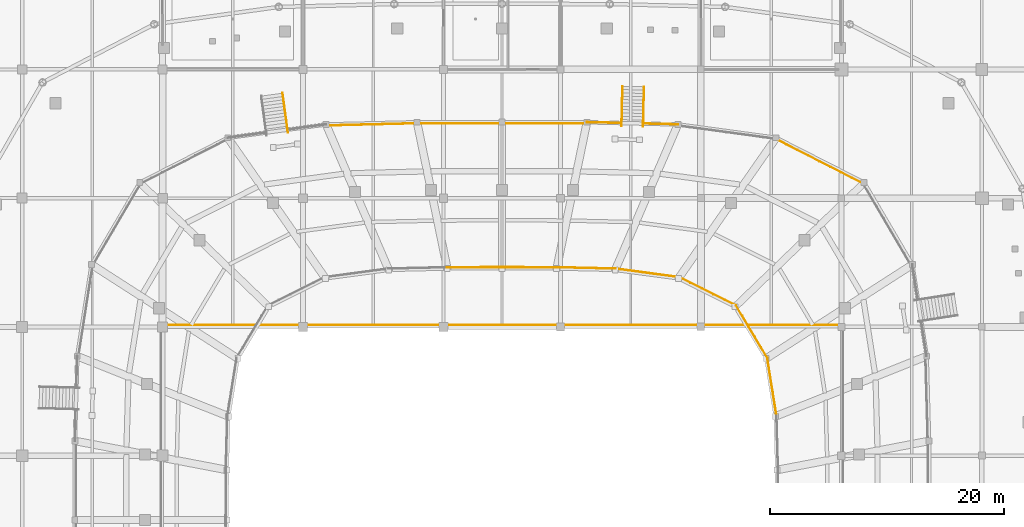
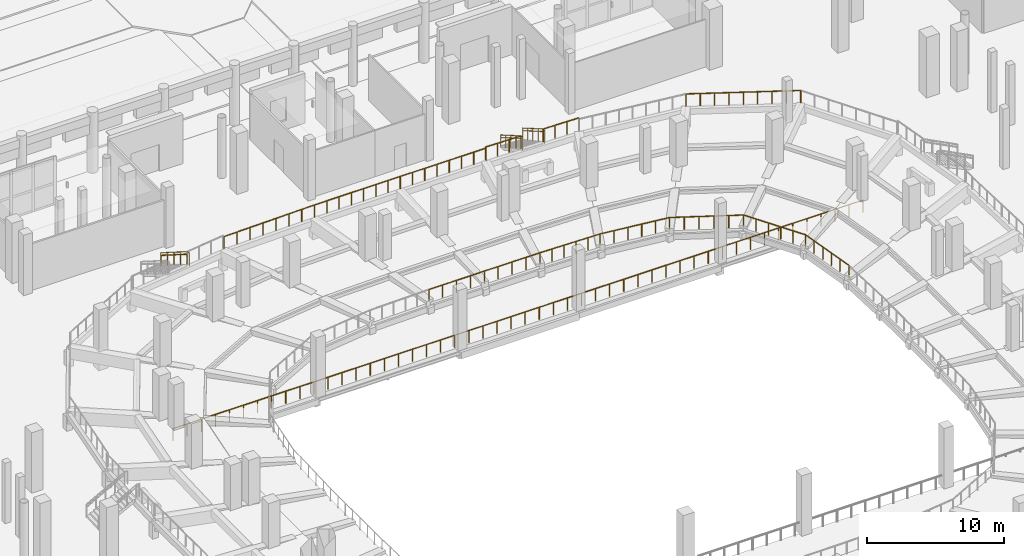
# One storey, part 106 of 120: 20 railings.
"""IFC4 building model written with IfcOpenShell, lengths in metres."""

import ifcopenshell
import ifcopenshell.guid

model = None  # the IFC model being written
_history = None  # IfcOwnerHistory: only IFC2X3 demands one
_inside = {}  # id of a spatial element -> (the spatial element, [elements in it])
_under = {}  # id of a project, library or spatial element -> (it, [spatial elements below it])
_declared = {}  # id of a project -> (the project, [libraries it declares])
_typed = {}  # id of a type object -> (the type object, [elements of that type])
_made_of = {}  # id of a material, layer set ... -> (it, [elements and type objects made of it])


def new_model(schema):
    """Start an empty IFC model of exactly this schema.

    Asked for "IFC4X3", IfcOpenShell would pick the latest addendum, in which some entities
    have other attributes; the version numbers below select the first issue.
    IFC2X3 requires an IfcOwnerHistory on every rooted entity: one is made here for all.
    """
    global model, _history
    if schema == "IFC4X3":
        model = ifcopenshell.file(schema_version=(4, 3, 0, 0))
    else:
        model = ifcopenshell.file(schema=schema)
    _inside.clear()
    _under.clear()
    _declared.clear()
    _typed.clear()
    _made_of.clear()
    _history = None
    if model.schema == "IFC2X3":
        org = make("IfcOrganization", Name="unknown")
        user = make(
            "IfcPersonAndOrganization",
            ThePerson=make("IfcPerson", FamilyName="unknown"),
            TheOrganization=org,
        )
        app = make(
            "IfcApplication",
            ApplicationDeveloper=org,
            Version="unknown",
            ApplicationFullName="unknown",
            ApplicationIdentifier="unknown",
        )
        _history = make(
            "IfcOwnerHistory",
            OwningUser=user,
            OwningApplication=app,
            ChangeAction="ADDED",
            CreationDate=0,
        )
    return model


def make(cls, **values):
    """One entity of the class cls with the attributes given. An attribute that is None is left unset."""
    return model.create_entity(
        cls, **{name: value for name, value in values.items() if value is not None}
    )


def rooted(cls, **values):
    """An entity with a GlobalId (a new one), such as an element, a storey or a relation."""
    return make(cls, GlobalId=ifcopenshell.guid.new(), OwnerHistory=_history, **values)


def si_unit(unit_type, name, prefix=None):
    """IfcSIUnit, for example si_unit("LENGTHUNIT", "METRE", prefix="MILLI")."""
    return make("IfcSIUnit", UnitType=unit_type, Prefix=prefix, Name=name)


def assignment(units):
    """IfcUnitAssignment: the units of a project."""
    return None if units is None else make("IfcUnitAssignment", Units=units)


def point(xyz):
    """IfcCartesianPoint."""
    return None if xyz is None else make("IfcCartesianPoint", Coordinates=xyz)


def direction(xyz):
    """IfcDirection."""
    return None if xyz is None else make("IfcDirection", DirectionRatios=xyz)


def frame(location, z_axis=None, x_axis=None):
    """IfcAxis2Placement3D, a coordinate frame: its origin and axes. An axis left out is left unset."""
    return make(
        "IfcAxis2Placement3D",
        Location=point(location),
        Axis=direction(z_axis),
        RefDirection=direction(x_axis),
    )


def frame_2d(location, x_axis=None):
    """IfcAxis2Placement2D, a coordinate frame in the plane: its origin and x axis."""
    return make(
        "IfcAxis2Placement2D", Location=point(location), RefDirection=direction(x_axis)
    )


def origin():
    """The frame at (0, 0, 0) with its axes left unset."""
    return frame((0.0, 0.0, 0.0))


def origin_2d():
    """The frame at (0, 0) in the plane with its x axis left unset."""
    return frame_2d((0.0, 0.0))


def place(relative_to, where):
    """IfcLocalPlacement: puts the frame where relative to a parent placement (None: the world)."""
    return make(
        "IfcLocalPlacement", PlacementRelTo=relative_to, RelativePlacement=where
    )


def context(
    kind, dimensions, precision=None, world=None, true_north=None, identifier=None
):
    """IfcGeometricRepresentationContext, for example the 3D "Model" context."""
    return make(
        "IfcGeometricRepresentationContext",
        ContextIdentifier=identifier,
        ContextType=kind,
        CoordinateSpaceDimension=dimensions,
        Precision=precision,
        WorldCoordinateSystem=world,
        TrueNorth=true_north,
    )


def subcontext(parent, identifier, kind, view, scale=None):
    """IfcGeometricRepresentationSubContext, for example "Body" below "Model"."""
    return make(
        "IfcGeometricRepresentationSubContext",
        ContextIdentifier=identifier,
        ContextType=kind,
        ParentContext=parent,
        TargetScale=scale,
        TargetView=view,
    )


def project(units=None, contexts=None):
    """IfcProject with its units and contexts."""
    return rooted(
        "IfcProject",
        Name="project",
        RepresentationContexts=contexts,
        UnitsInContext=assignment(units),
    )


def spatial(cls, under=None, at=None, **own):
    """A site, building, storey or space (cls), placed at a placement, below another one or the project."""
    s = rooted(cls, ObjectPlacement=at, **own)
    if under is not None:
        _under.setdefault(under.id(), (under, []))[1].append(s)
    return s


def profile(cls, at=None, kind="AREA", **sizes):
    """A parametric profile (cls). Its sizes go by their IFC names, for example OverallWidth=200.0."""
    return make(cls, ProfileType=kind, Position=at, **sizes)


def circle(**sizes):
    """IfcCircleProfileDef."""
    return profile("IfcCircleProfileDef", **sizes)


def extrude(swept, where, along, depth):
    """IfcExtrudedAreaSolid: the profile swept, set in the frame where, extruded along a direction by depth."""
    return make(
        "IfcExtrudedAreaSolid",
        SweptArea=swept,
        Position=where,
        ExtrudedDirection=direction(along),
        Depth=depth,
    )


def shape(context_of_items, identifier, shape_type, items):
    """IfcShapeRepresentation: the items that make up one representation, for example the "Body"."""
    return make(
        "IfcShapeRepresentation",
        ContextOfItems=context_of_items,
        RepresentationIdentifier=identifier,
        RepresentationType=shape_type,
        Items=items,
    )


def material(Name=None, Category=None):
    """IfcMaterial."""
    return make("IfcMaterial", Name=Name, Category=Category)


def made_of(thing, what):
    """Note that an element or type object is made of a material, layer set ...; save() writes the relation."""
    if what is not None:
        _made_of.setdefault(what.id(), (what, []))[1].append(thing)
    return thing


def type_object(cls, material=None, **own):
    """A type object (cls), such as IfcWallType, which elements share."""
    return made_of(rooted(cls, **own), material)


def element(
    cls,
    number,
    at=None,
    inside=None,
    cuts=None,
    type_object=None,
    material=None,
    context=None,
    identifier="Body",
    shape_type=None,
    held_by="IfcProductDefinitionShape",
    body=None,
    shapes=None,
    **own,
):
    """One element of the class cls, such as IfcWall. Its Tag is "e" and its number.

    at: its placement. inside: the storey or other place that contains it. cuts: it is an
    opening in that element (IfcRelVoidsElement). A single representation is given by context,
    identifier, shape_type and body (its items); several are given by shapes. held_by: the class
    of the entity that holds the representations. save() writes the other relations.
    """
    e = rooted(cls, Tag="e%d" % number, ObjectPlacement=at, **own)
    if body is not None:
        shapes = [shape(context, identifier, shape_type, body)]
    if shapes is not None:
        e.Representation = make(held_by, Representations=shapes)
    if inside is not None:
        _inside.setdefault(inside.id(), (inside, []))[1].append(e)
    if cuts is not None:
        rooted(
            "IfcRelVoidsElement", RelatingBuildingElement=cuts, RelatedOpeningElement=e
        )
    if type_object is not None:
        _typed.setdefault(type_object.id(), (type_object, []))[1].append(e)
    return made_of(e, material)


def aggregate(whole, parts):
    """IfcRelAggregates: a whole, such as a stair, and the parts it consists of."""
    return rooted("IfcRelAggregates", RelatingObject=whole, RelatedObjects=parts)


def save(model, path):
    """Write the relations noted so far, then the file.

    IfcRelAggregates (storeys below a building ...), IfcRelContainedInSpatialStructure (elements
    in a storey), IfcRelDefinesByType, IfcRelAssociatesMaterial and IfcRelDeclares: one each for
    every whole, place, type object, material and project.
    """
    for whole, parts in _under.values():
        aggregate(whole, parts)
    for where, things in _inside.values():
        rooted(
            "IfcRelContainedInSpatialStructure",
            RelatedElements=things,
            RelatingStructure=where,
        )
    for kind, things in _typed.values():
        rooted("IfcRelDefinesByType", RelatedObjects=things, RelatingType=kind)
    for what, things in _made_of.values():
        rooted("IfcRelAssociatesMaterial", RelatedObjects=things, RelatingMaterial=what)
    for by, libraries in _declared.values():
        rooted("IfcRelDeclares", RelatingContext=by, RelatedDefinitions=libraries)
    model.write(path)


model = new_model("IFC4")

# Units and contexts
model_context = context("Model", 3, precision=1e-05, world=origin(), true_north=direction((0.0, 1.0)))
body_context = subcontext(model_context, "Body", "Model", "MODEL_VIEW")
ifc_project = project(units=[si_unit("LENGTHUNIT", "METRE"), si_unit("AREAUNIT", "SQUARE_METRE"), si_unit("VOLUMEUNIT", "CUBIC_METRE"), si_unit("PLANEANGLEUNIT", "RADIAN"), si_unit("MASSUNIT", "GRAM", prefix="KILO")], contexts=[model_context])

# Site, building, storey
site_placement = place(None, origin())
site = spatial("IfcSite", under=ifc_project, at=site_placement, CompositionType="ELEMENT")
building_placement = place(site_placement, origin())
building = spatial("IfcBuilding", under=site, at=building_placement, Name="Luwafu Chhajja Arena", CompositionType="ELEMENT")
storey_placement = place(building_placement, origin())
storey = spatial("IfcBuildingStorey", under=building, at=storey_placement, Name="L00", CompositionType="ELEMENT", Elevation=0.0)

# Railings
ifc_material_1 = material(Name="Stainless steel balustrade", Category="steel")
railing_type_1 = type_object("IfcRailingType", Name="Atrium Void Glazed Balustrade 1150", PredefinedType="BALUSTRADE", material=ifc_material_1)
railing_1_placement = place(storey_placement, frame((109.30078125, 86.563232421875, 0.0)))
element("IfcRailing", 1, at=railing_1_placement, inside=storey, type_object=railing_type_1, Name="L00 Vomitory VM-02 Guard L", PredefinedType="BALUSTRADE", context=body_context, shape_type="SweptSolid", body=[
    extrude(circle(Radius=0.02392578125, at=origin_2d()), frame((0.0, 0.0, 1.1259765625), z_axis=(-0.020742164127, -0.861669643947, 0.507045547587), x_axis=(0.999710393799, -0.024065089461, 0.0)), (0.0, 0.0, 1.0), 3.648681640625),
    extrude(circle(Radius=0.02392578125, at=origin_2d()), frame((-0.07568359375, -3.14404296875, 2.97607421875), z_axis=(-0.024406789793, -0.999702109937, 0.0), x_axis=(0.999702109937, -0.024406789793, 0.0)), (0.0, 0.0, 1.0), 0.25),
    extrude(circle(Radius=0.02099609375, at=origin_2d()), origin(), (0.0, 0.0, 1.0), 1.101806640625),
    extrude(circle(Radius=0.02099609375, at=origin_2d()), frame((-0.01904296875, -0.7861328125, 0.46240234375)), (0.0, 0.0, 1.0), 1.101806640625),
    extrude(circle(Radius=0.02099609375, at=origin_2d()), frame((-0.037841796875, -1.572021484375, 0.925048828125)), (0.0, 0.0, 1.0), 1.101806640625),
    extrude(circle(Radius=0.02099609375, at=origin_2d()), frame((-0.056640625, -2.35791015625, 1.3876953125)), (0.0, 0.0, 1.0), 1.101806640625),
    extrude(circle(Radius=0.02099609375, at=origin_2d()), frame((-0.07568359375, -3.14404296875, 1.85009765625)), (0.0, 0.0, 1.0), 1.101806640625),
    extrude(circle(Radius=0.02099609375, at=origin_2d()), frame((-0.081787109375, -3.39404296875, 1.85009765625)), (0.0, 0.0, 1.0), 1.101806640625),
])
railing_2_placement = place(storey_placement, frame((111.140380859375, 86.518798828125, 0.0)))
element("IfcRailing", 2, at=railing_2_placement, inside=storey, type_object=railing_type_1, Name="L00 Vomitory VM-02 Guard R", PredefinedType="BALUSTRADE", context=body_context, shape_type="SweptSolid", body=[
    extrude(circle(Radius=0.02392578125, at=origin_2d()), frame((0.0, 0.0, 1.1259765625), z_axis=(-0.020809045407, -0.861668446141, 0.507044842744), x_axis=(0.999708523176, -0.024142673607, 0.0)), (0.0, 0.0, 1.0), 3.648681640625),
    extrude(circle(Radius=0.02392578125, at=origin_2d()), frame((-0.075927734375, -3.14404296875, 2.97607421875), z_axis=(-0.023453957023, -0.999724918115, 0.0), x_axis=(0.999724918115, -0.023453957023, 0.0)), (0.0, 0.0, 1.0), 0.249755859375),
    extrude(circle(Radius=0.02099609375, at=origin_2d()), origin(), (0.0, 0.0, 1.0), 1.101806640625),
    extrude(circle(Radius=0.02099609375, at=origin_2d()), frame((-0.01904296875, -0.7861328125, 0.46240234375)), (0.0, 0.0, 1.0), 1.101806640625),
    extrude(circle(Radius=0.02099609375, at=origin_2d()), frame((-0.0380859375, -1.572021484375, 0.925048828125)), (0.0, 0.0, 1.0), 1.101806640625),
    extrude(circle(Radius=0.02099609375, at=origin_2d()), frame((-0.056884765625, -2.35791015625, 1.3876953125)), (0.0, 0.0, 1.0), 1.101806640625),
    extrude(circle(Radius=0.02099609375, at=origin_2d()), frame((-0.075927734375, -3.14404296875, 1.85009765625)), (0.0, 0.0, 1.0), 1.101806640625),
    extrude(circle(Radius=0.02099609375, at=origin_2d()), frame((-0.081787109375, -3.393798828125, 1.85009765625)), (0.0, 0.0, 1.0), 1.101806640625),
])
for number, where, name in (
    (3, (106.25830078125, 83.49072265625, 1.85009765625), "L00 Vomitory VM-02 Wing Guard L"),
    (4, (111.064453125, 83.374755859375, 1.85009765625), "L00 Vomitory VM-02 Wing Guard R"),
):
    element("IfcRailing", number, at=place(storey_placement, frame(where)), inside=storey, type_object=railing_type_1, Name=name, PredefinedType="BALUSTRADE", context=body_context, shape_type="SweptSolid", body=[
        extrude(circle(Radius=0.02392578125, at=origin_2d()), frame((0.0, 0.0, 1.1259765625), z_axis=(0.999709450311, -0.024104251888, 0.0), x_axis=(0.024104251888, 0.999709450311, 0.0)), (0.0, 0.0, 1.0), 2.9677734375),
        extrude(circle(Radius=0.02099609375, at=origin_2d()), origin(), (0.0, 0.0, 1.0), 1.101806640625),
        extrude(circle(Radius=0.02099609375, at=origin_2d()), frame((0.989013671875, -0.02392578125, 0.0)), (0.0, 0.0, 1.0), 1.101806640625),
        extrude(circle(Radius=0.02099609375, at=origin_2d()), frame((1.977783203125, -0.047607421875, 0.0)), (0.0, 0.0, 1.0), 1.101806640625),
        extrude(circle(Radius=0.02099609375, at=origin_2d()), frame((2.966796875, -0.071533203125, 0.0)), (0.0, 0.0, 1.0), 1.101806640625),
    ])
railing_3_placement = place(storey_placement, frame((80.258056640625, 85.972412109375, 0.0)))
element("IfcRailing", 5, at=railing_3_placement, inside=storey, type_object=railing_type_1, Name="L00 Vomitory VM-03 Guard R", PredefinedType="BALUSTRADE", context=body_context, shape_type="SweptSolid", body=[
    extrude(circle(Radius=0.02392578125, at=origin_2d()), frame((0.0, 0.0, 1.1259765625), z_axis=(0.116150935556, -0.85407067533, 0.507022920302), x_axis=(0.990878756989, 0.134756405964, 0.0)), (0.0, 0.0, 1.0), 3.64892578125),
    extrude(circle(Radius=0.02392578125, at=origin_2d()), frame((0.423828125, -3.116455078125, 2.97607421875), z_axis=(0.135679445915, -0.990752788518, 0.0), x_axis=(0.990752788518, 0.135679445915, 0.0)), (0.0, 0.0, 1.0), 0.25),
    extrude(circle(Radius=0.02099609375, at=origin_2d()), origin(), (0.0, 0.0, 1.0), 1.101806640625),
    extrude(circle(Radius=0.02099609375, at=origin_2d()), frame((0.10595703125, -0.779052734375, 0.46240234375)), (0.0, 0.0, 1.0), 1.101806640625),
    extrude(circle(Radius=0.02099609375, at=origin_2d()), frame((0.2119140625, -1.55810546875, 0.925048828125)), (0.0, 0.0, 1.0), 1.101806640625),
    extrude(circle(Radius=0.02099609375, at=origin_2d()), frame((0.31787109375, -2.33740234375, 1.3876953125)), (0.0, 0.0, 1.0), 1.101806640625),
    extrude(circle(Radius=0.02099609375, at=origin_2d()), frame((0.423828125, -3.116455078125, 1.85009765625)), (0.0, 0.0, 1.0), 1.101806640625),
    extrude(circle(Radius=0.02099609375, at=origin_2d()), frame((0.457763671875, -3.3642578125, 1.85009765625)), (0.0, 0.0, 1.0), 1.101806640625),
])
railing_type_2 = type_object("IfcRailingType", Name="Seating Bowl Sightline Barrier 1100", PredefinedType="BALUSTRADE", material=ifc_material_1)
railing_4_placement = place(storey_placement, frame((128.14990234375, 66.14990234375, 0.0)))
element("IfcRailing", 6, at=railing_4_placement, inside=storey, type_object=railing_type_2, Name="L00 L00 Bowl Apron Guard 0015", PredefinedType="BALUSTRADE", context=body_context, shape_type="SweptSolid", body=[
    extrude(circle(Radius=0.02392578125, at=origin_2d()), frame((0.0, 0.0, 1.09619140625), z_axis=(-1.0, 0.0, 0.0), x_axis=(0.0, -1.0, 0.0)), (0.0, 0.0, 1.0), 58.2998046875),
    extrude(circle(Radius=0.02099609375, at=origin_2d()), origin(), (0.0, 0.0, 1.0), 1.072021484375),
    extrude(circle(Radius=0.02099609375, at=origin_2d()), frame((-1.189697265625, 0.0, 0.0)), (0.0, 0.0, 1.0), 1.072021484375),
    extrude(circle(Radius=0.02099609375, at=origin_2d()), frame((-2.379638671875, 0.0, 0.0)), (0.0, 0.0, 1.0), 1.072021484375),
    extrude(circle(Radius=0.02099609375, at=origin_2d()), frame((-3.5693359375, 0.0, 0.0)), (0.0, 0.0, 1.0), 1.072021484375),
    extrude(circle(Radius=0.02099609375, at=origin_2d()), frame((-4.75927734375, 0.0, 0.0)), (0.0, 0.0, 1.0), 1.072021484375),
    extrude(circle(Radius=0.02099609375, at=origin_2d()), frame((-5.948974609375, 0.0, 0.0)), (0.0, 0.0, 1.0), 1.072021484375),
    extrude(circle(Radius=0.02099609375, at=origin_2d()), frame((-7.138671875, 0.0, 0.0)), (0.0, 0.0, 1.0), 1.072021484375),
    extrude(circle(Radius=0.02099609375, at=origin_2d()), frame((-8.32861328125, 0.0, 0.0)), (0.0, 0.0, 1.0), 1.072021484375),
    extrude(circle(Radius=0.02099609375, at=origin_2d()), frame((-9.518310546875, 0.0, 0.0)), (0.0, 0.0, 1.0), 1.072021484375),
    extrude(circle(Radius=0.02099609375, at=origin_2d()), frame((-10.7080078125, 0.0, 0.0)), (0.0, 0.0, 1.0), 1.072021484375),
    extrude(circle(Radius=0.02099609375, at=origin_2d()), frame((-11.89794921875, 0.0, 0.0)), (0.0, 0.0, 1.0), 1.072021484375),
    extrude(circle(Radius=0.02099609375, at=origin_2d()), frame((-13.087646484375, 0.0, 0.0)), (0.0, 0.0, 1.0), 1.072021484375),
    extrude(circle(Radius=0.02099609375, at=origin_2d()), frame((-14.277587890625, 0.0, 0.0)), (0.0, 0.0, 1.0), 1.072021484375),
    extrude(circle(Radius=0.02099609375, at=origin_2d()), frame((-15.46728515625, 0.0, 0.0)), (0.0, 0.0, 1.0), 1.072021484375),
    extrude(circle(Radius=0.02099609375, at=origin_2d()), frame((-16.656982421875, 0.0, 0.0)), (0.0, 0.0, 1.0), 1.072021484375),
    extrude(circle(Radius=0.02099609375, at=origin_2d()), frame((-17.846923828125, 0.0, 0.0)), (0.0, 0.0, 1.0), 1.072021484375),
    extrude(circle(Radius=0.02099609375, at=origin_2d()), frame((-19.03662109375, 0.0, 0.0)), (0.0, 0.0, 1.0), 1.072021484375),
    extrude(circle(Radius=0.02099609375, at=origin_2d()), frame((-20.2265625, 0.0, 0.0)), (0.0, 0.0, 1.0), 1.072021484375),
    extrude(circle(Radius=0.02099609375, at=origin_2d()), frame((-21.416259765625, 0.0, 0.0)), (0.0, 0.0, 1.0), 1.072021484375),
    extrude(circle(Radius=0.02099609375, at=origin_2d()), frame((-22.60595703125, 0.0, 0.0)), (0.0, 0.0, 1.0), 1.072021484375),
    extrude(circle(Radius=0.02099609375, at=origin_2d()), frame((-23.7958984375, 0.0, 0.0)), (0.0, 0.0, 1.0), 1.072021484375),
    extrude(circle(Radius=0.02099609375, at=origin_2d()), frame((-24.985595703125, 0.0, 0.0)), (0.0, 0.0, 1.0), 1.072021484375),
    extrude(circle(Radius=0.02099609375, at=origin_2d()), frame((-26.175537109375, 0.0, 0.0)), (0.0, 0.0, 1.0), 1.072021484375),
    extrude(circle(Radius=0.02099609375, at=origin_2d()), frame((-27.365234375, 0.0, 0.0)), (0.0, 0.0, 1.0), 1.072021484375),
    extrude(circle(Radius=0.02099609375, at=origin_2d()), frame((-28.554931640625, 0.0, 0.0)), (0.0, 0.0, 1.0), 1.072021484375),
    extrude(circle(Radius=0.02099609375, at=origin_2d()), frame((-29.744873046875, 0.0, 0.0)), (0.0, 0.0, 1.0), 1.072021484375),
    extrude(circle(Radius=0.02099609375, at=origin_2d()), frame((-30.9345703125, 0.0, 0.0)), (0.0, 0.0, 1.0), 1.072021484375),
    extrude(circle(Radius=0.02099609375, at=origin_2d()), frame((-32.124267578125, 0.0, 0.0)), (0.0, 0.0, 1.0), 1.072021484375),
    extrude(circle(Radius=0.02099609375, at=origin_2d()), frame((-33.314208984375, 0.0, 0.0)), (0.0, 0.0, 1.0), 1.072021484375),
    extrude(circle(Radius=0.02099609375, at=origin_2d()), frame((-34.50390625, 0.0, 0.0)), (0.0, 0.0, 1.0), 1.072021484375),
    extrude(circle(Radius=0.02099609375, at=origin_2d()), frame((-35.69384765625, 0.0, 0.0)), (0.0, 0.0, 1.0), 1.072021484375),
    extrude(circle(Radius=0.02099609375, at=origin_2d()), frame((-36.883544921875, 0.0, 0.0)), (0.0, 0.0, 1.0), 1.072021484375),
    extrude(circle(Radius=0.02099609375, at=origin_2d()), frame((-38.0732421875, 0.0, 0.0)), (0.0, 0.0, 1.0), 1.072021484375),
    extrude(circle(Radius=0.02099609375, at=origin_2d()), frame((-39.26318359375, 0.0, 0.0)), (0.0, 0.0, 1.0), 1.072021484375),
    extrude(circle(Radius=0.02099609375, at=origin_2d()), frame((-40.452880859375, 0.0, 0.0)), (0.0, 0.0, 1.0), 1.072021484375),
    extrude(circle(Radius=0.02099609375, at=origin_2d()), frame((-41.642822265625, 0.0, 0.0)), (0.0, 0.0, 1.0), 1.072021484375),
    extrude(circle(Radius=0.02099609375, at=origin_2d()), frame((-42.83251953125, 0.0, 0.0)), (0.0, 0.0, 1.0), 1.072021484375),
    extrude(circle(Radius=0.02099609375, at=origin_2d()), frame((-44.022216796875, 0.0, 0.0)), (0.0, 0.0, 1.0), 1.072021484375),
    extrude(circle(Radius=0.02099609375, at=origin_2d()), frame((-45.212158203125, 0.0, 0.0)), (0.0, 0.0, 1.0), 1.072021484375),
    extrude(circle(Radius=0.02099609375, at=origin_2d()), frame((-46.40185546875, 0.0, 0.0)), (0.0, 0.0, 1.0), 1.072021484375),
    extrude(circle(Radius=0.02099609375, at=origin_2d()), frame((-47.591796875, 0.0, 0.0)), (0.0, 0.0, 1.0), 1.072021484375),
    extrude(circle(Radius=0.02099609375, at=origin_2d()), frame((-48.781494140625, 0.0, 0.0)), (0.0, 0.0, 1.0), 1.072021484375),
    extrude(circle(Radius=0.02099609375, at=origin_2d()), frame((-49.97119140625, 0.0, 0.0)), (0.0, 0.0, 1.0), 1.072021484375),
    extrude(circle(Radius=0.02099609375, at=origin_2d()), frame((-51.1611328125, 0.0, 0.0)), (0.0, 0.0, 1.0), 1.072021484375),
    extrude(circle(Radius=0.02099609375, at=origin_2d()), frame((-52.350830078125, 0.0, 0.0)), (0.0, 0.0, 1.0), 1.072021484375),
    extrude(circle(Radius=0.02099609375, at=origin_2d()), frame((-53.54052734375, 0.0, 0.0)), (0.0, 0.0, 1.0), 1.072021484375),
    extrude(circle(Radius=0.02099609375, at=origin_2d()), frame((-54.73046875, 0.0, 0.0)), (0.0, 0.0, 1.0), 1.072021484375),
    extrude(circle(Radius=0.02099609375, at=origin_2d()), frame((-55.920166015625, 0.0, 0.0)), (0.0, 0.0, 1.0), 1.072021484375),
    extrude(circle(Radius=0.02099609375, at=origin_2d()), frame((-57.110107421875, 0.0, 0.0)), (0.0, 0.0, 1.0), 1.072021484375),
    extrude(circle(Radius=0.02099609375, at=origin_2d()), frame((-58.2998046875, 0.0, 0.0)), (0.0, 0.0, 1.0), 1.072021484375),
])
railing_5_placement = place(storey_placement, frame((122.46337890625, 58.395263671875, 0.85009765625)))
element("IfcRailing", 7, at=railing_5_placement, inside=storey, type_object=railing_type_2, Name="L00 Lower Tier Front Barrier 0056", PredefinedType="BALUSTRADE", context=body_context, shape_type="SweptSolid", body=[
    extrude(circle(Radius=0.02392578125, at=origin_2d()), frame((0.0, 0.0, 1.09619140625), z_axis=(-0.157596868807, 0.987503532623, 0.0), x_axis=(-0.987503532623, -0.157596868807, 0.0)), (0.0, 0.0, 1.0), 5.03173828125),
    extrude(circle(Radius=0.02099609375, at=origin_2d()), origin(), (0.0, 0.0, 1.0), 1.072021484375),
    extrude(circle(Radius=0.02099609375, at=origin_2d()), frame((-0.15869140625, 0.99365234375, 0.0)), (0.0, 0.0, 1.0), 1.072021484375),
    extrude(circle(Radius=0.02099609375, at=origin_2d()), frame((-0.317138671875, 1.987548828125, 0.0)), (0.0, 0.0, 1.0), 1.072021484375),
    extrude(circle(Radius=0.02099609375, at=origin_2d()), frame((-0.475830078125, 2.981201171875, 0.0)), (0.0, 0.0, 1.0), 1.072021484375),
    extrude(circle(Radius=0.02099609375, at=origin_2d()), frame((-0.63427734375, 3.97509765625, 0.0)), (0.0, 0.0, 1.0), 1.072021484375),
    extrude(circle(Radius=0.02099609375, at=origin_2d()), frame((-0.79296875, 4.96875, 0.0)), (0.0, 0.0, 1.0), 1.072021484375),
])
railing_6_placement = place(storey_placement, frame((121.67041015625, 63.364013671875, 0.85009765625)))
element("IfcRailing", 8, at=railing_6_placement, inside=storey, type_object=railing_type_2, Name="L00 Lower Tier Front Barrier 0058", PredefinedType="BALUSTRADE", context=body_context, shape_type="SweptSolid", body=[
    extrude(circle(Radius=0.02392578125, at=origin_2d()), frame((0.0, 0.0, 1.09619140625), z_axis=(-0.513207192102, 0.858264748183, 0.0), x_axis=(-0.858264748183, -0.513207192102, 0.0)), (0.0, 0.0, 1.0), 5.184814453125),
    extrude(circle(Radius=0.02099609375, at=origin_2d()), origin(), (0.0, 0.0, 1.0), 1.072021484375),
    extrude(circle(Radius=0.02099609375, at=origin_2d()), frame((-0.5322265625, 0.889892578125, 0.0)), (0.0, 0.0, 1.0), 1.072021484375),
    extrude(circle(Radius=0.02099609375, at=origin_2d()), frame((-1.064453125, 1.780029296875, 0.0)), (0.0, 0.0, 1.0), 1.072021484375),
    extrude(circle(Radius=0.02099609375, at=origin_2d()), frame((-1.596435546875, 2.669921875, 0.0)), (0.0, 0.0, 1.0), 1.072021484375),
    extrude(circle(Radius=0.02099609375, at=origin_2d()), frame((-2.128662109375, 3.56005859375, 0.0)), (0.0, 0.0, 1.0), 1.072021484375),
    extrude(circle(Radius=0.02099609375, at=origin_2d()), frame((-2.660888671875, 4.449951171875, 0.0)), (0.0, 0.0, 1.0), 1.072021484375),
])
railing_7_placement = place(storey_placement, frame((119.009521484375, 67.81396484375, 0.85009765625)))
element("IfcRailing", 9, at=railing_7_placement, inside=storey, type_object=railing_type_2, Name="L00 Lower Tier Front Barrier 0062", PredefinedType="BALUSTRADE", context=body_context, shape_type="SweptSolid", body=[
    extrude(circle(Radius=0.02392578125, at=origin_2d()), frame((0.0, 0.0, 1.09619140625), z_axis=(-0.894121668342, 0.447824119717, 0.0), x_axis=(-0.447824119717, -0.894121668342, 0.0)), (0.0, 0.0, 1.0), 5.4375),
    extrude(circle(Radius=0.02099609375, at=origin_2d()), origin(), (0.0, 0.0, 1.0), 1.072021484375),
    extrude(circle(Radius=0.02099609375, at=origin_2d()), frame((-0.972412109375, 0.487060546875, 0.0)), (0.0, 0.0, 1.0), 1.072021484375),
    extrude(circle(Radius=0.02099609375, at=origin_2d()), frame((-1.94482421875, 0.97412109375, 0.0)), (0.0, 0.0, 1.0), 1.072021484375),
    extrude(circle(Radius=0.02099609375, at=origin_2d()), frame((-2.9169921875, 1.4609375, 0.0)), (0.0, 0.0, 1.0), 1.072021484375),
    extrude(circle(Radius=0.02099609375, at=origin_2d()), frame((-3.889404296875, 1.947998046875, 0.0)), (0.0, 0.0, 1.0), 1.072021484375),
    extrude(circle(Radius=0.02099609375, at=origin_2d()), frame((-4.86181640625, 2.43505859375, 0.0)), (0.0, 0.0, 1.0), 1.072021484375),
])
railing_8_placement = place(storey_placement, frame((129.8623046875, 78.24267578125, 1.85009765625)))
element("IfcRailing", 10, at=railing_8_placement, inside=storey, type_object=railing_type_2, Name="L00 Lower Tier Rear Barrier 0064", PredefinedType="BALUSTRADE", context=body_context, shape_type="SweptSolid", body=[
    extrude(circle(Radius=0.02392578125, at=origin_2d()), frame((0.0, 0.0, 1.09619140625), z_axis=(-0.890960455161, 0.454080903959, 0.0), x_axis=(-0.454080903959, -0.890960455161, 0.0)), (0.0, 0.0, 1.0), 8.41650390625),
    extrude(circle(Radius=0.02099609375, at=origin_2d()), origin(), (0.0, 0.0, 1.0), 1.072021484375),
    extrude(circle(Radius=0.02099609375, at=origin_2d()), frame((-0.937255859375, 0.477783203125, 0.0)), (0.0, 0.0, 1.0), 1.072021484375),
    extrude(circle(Radius=0.02099609375, at=origin_2d()), frame((-1.874755859375, 0.95556640625, 0.0)), (0.0, 0.0, 1.0), 1.072021484375),
    extrude(circle(Radius=0.02099609375, at=origin_2d()), frame((-2.81201171875, 1.43310546875, 0.0)), (0.0, 0.0, 1.0), 1.072021484375),
    extrude(circle(Radius=0.02099609375, at=origin_2d()), frame((-3.74951171875, 1.910888671875, 0.0)), (0.0, 0.0, 1.0), 1.072021484375),
    extrude(circle(Radius=0.02099609375, at=origin_2d()), frame((-4.686767578125, 2.388671875, 0.0)), (0.0, 0.0, 1.0), 1.072021484375),
    extrude(circle(Radius=0.02099609375, at=origin_2d()), frame((-5.6240234375, 2.8662109375, 0.0)), (0.0, 0.0, 1.0), 1.072021484375),
    extrude(circle(Radius=0.02099609375, at=origin_2d()), frame((-6.5615234375, 3.343994140625, 0.0)), (0.0, 0.0, 1.0), 1.072021484375),
    extrude(circle(Radius=0.02099609375, at=origin_2d()), frame((-7.498779296875, 3.82177734375, 0.0)), (0.0, 0.0, 1.0), 1.072021484375),
])
railing_9_placement = place(storey_placement, frame((114.147705078125, 70.2490234375, 0.85009765625)))
element("IfcRailing", 11, at=railing_9_placement, inside=storey, type_object=railing_type_2, Name="L00 Lower Tier Front Barrier 0066", PredefinedType="BALUSTRADE", context=body_context, shape_type="SweptSolid", body=[
    extrude(circle(Radius=0.02392578125, at=origin_2d()), frame((0.0, 0.0, 1.09619140625), z_axis=(-0.991174094969, 0.132566637814, 0.0), x_axis=(-0.132566637814, -0.991174094969, 0.0)), (0.0, 0.0, 1.0), 5.47705078125),
    extrude(circle(Radius=0.02099609375, at=origin_2d()), origin(), (0.0, 0.0, 1.0), 1.072021484375),
    extrude(circle(Radius=0.02099609375, at=origin_2d()), frame((-1.085693359375, 0.145263671875, 0.0)), (0.0, 0.0, 1.0), 1.072021484375),
    extrude(circle(Radius=0.02099609375, at=origin_2d()), frame((-2.17138671875, 0.29052734375, 0.0)), (0.0, 0.0, 1.0), 1.072021484375),
    extrude(circle(Radius=0.02099609375, at=origin_2d()), frame((-3.25732421875, 0.435546875, 0.0)), (0.0, 0.0, 1.0), 1.072021484375),
    extrude(circle(Radius=0.02099609375, at=origin_2d()), frame((-4.343017578125, 0.580810546875, 0.0)), (0.0, 0.0, 1.0), 1.072021484375),
    extrude(circle(Radius=0.02099609375, at=origin_2d()), frame((-5.4287109375, 0.72607421875, 0.0)), (0.0, 0.0, 1.0), 1.072021484375),
])
railing_10_placement = place(storey_placement, frame((108.718994140625, 70.97509765625, 0.85009765625)))
element("IfcRailing", 12, at=railing_10_placement, inside=storey, type_object=railing_type_2, Name="L00 Lower Tier Front Barrier 0070", PredefinedType="BALUSTRADE", context=body_context, shape_type="SweptSolid", body=[
    extrude(circle(Radius=0.02392578125, at=origin_2d()), frame((0.0, 0.0, 1.09619140625), z_axis=(-0.999719144637, 0.023698773078, 0.0), x_axis=(-0.023698773078, -0.999719144637, 0.0)), (0.0, 0.0, 1.0), 5.02734375),
    extrude(circle(Radius=0.02099609375, at=origin_2d()), origin(), (0.0, 0.0, 1.0), 1.072021484375),
    extrude(circle(Radius=0.02099609375, at=origin_2d()), frame((-1.005126953125, 0.02392578125, 0.0)), (0.0, 0.0, 1.0), 1.072021484375),
    extrude(circle(Radius=0.02099609375, at=origin_2d()), frame((-2.01025390625, 0.047607421875, 0.0)), (0.0, 0.0, 1.0), 1.072021484375),
    extrude(circle(Radius=0.02099609375, at=origin_2d()), frame((-3.015625, 0.071533203125, 0.0)), (0.0, 0.0, 1.0), 1.072021484375),
    extrude(circle(Radius=0.02099609375, at=origin_2d()), frame((-4.020751953125, 0.09521484375, 0.0)), (0.0, 0.0, 1.0), 1.072021484375),
    extrude(circle(Radius=0.02099609375, at=origin_2d()), frame((-5.02587890625, 0.119140625, 0.0)), (0.0, 0.0, 1.0), 1.072021484375),
])
railing_11_placement = place(storey_placement, frame((103.693115234375, 71.09423828125, 0.85009765625)))
element("IfcRailing", 13, at=railing_11_placement, inside=storey, type_object=railing_type_2, Name="L00 Lower Tier Front Barrier 0072", PredefinedType="BALUSTRADE", context=body_context, shape_type="SweptSolid", body=[
    extrude(circle(Radius=0.02392578125, at=origin_2d()), frame((0.0, 0.0, 1.09619140625), z_axis=(-0.999999220619, 0.001248503423, 0.0), x_axis=(-0.001248503423, -0.999999220619, 0.0)), (0.0, 0.0, 1.0), 4.693115234375),
    extrude(circle(Radius=0.02099609375, at=origin_2d()), origin(), (0.0, 0.0, 1.0), 1.072021484375),
    extrude(circle(Radius=0.02099609375, at=origin_2d()), frame((-1.17333984375, 0.00146484375, 0.0)), (0.0, 0.0, 1.0), 1.072021484375),
    extrude(circle(Radius=0.02099609375, at=origin_2d()), frame((-2.3466796875, 0.0029296875, 0.0)), (0.0, 0.0, 1.0), 1.072021484375),
    extrude(circle(Radius=0.02099609375, at=origin_2d()), frame((-3.519775390625, 0.00439453125, 0.0)), (0.0, 0.0, 1.0), 1.072021484375),
    extrude(circle(Radius=0.02099609375, at=origin_2d()), frame((-4.693115234375, 0.005859375, 0.0)), (0.0, 0.0, 1.0), 1.072021484375),
])
railing_12_placement = place(storey_placement, frame((106.238525390625, 83.390869140625, 1.85009765625)))
element("IfcRailing", 14, at=railing_12_placement, inside=storey, type_object=railing_type_2, Name="L00 Lower Tier Rear Barrier 0074", PredefinedType="BALUSTRADE", context=body_context, shape_type="SweptSolid", body=[
    extrude(circle(Radius=0.02392578125, at=origin_2d()), frame((0.0, 0.0, 1.09619140625), z_axis=(-0.999999221331, 0.001247933191, 0.0), x_axis=(-0.001247933191, -0.999999221331, 0.0)), (0.0, 0.0, 1.0), 7.238525390625),
    extrude(circle(Radius=0.02099609375, at=origin_2d()), origin(), (0.0, 0.0, 1.0), 1.072021484375),
    extrude(circle(Radius=0.02099609375, at=origin_2d()), frame((-1.0341796875, 0.001220703125, 0.0)), (0.0, 0.0, 1.0), 1.072021484375),
    extrude(circle(Radius=0.02099609375, at=origin_2d()), frame((-2.068115234375, 0.002685546875, 0.0)), (0.0, 0.0, 1.0), 1.072021484375),
    extrude(circle(Radius=0.02099609375, at=origin_2d()), frame((-3.102294921875, 0.00390625, 0.0)), (0.0, 0.0, 1.0), 1.072021484375),
    extrude(circle(Radius=0.02099609375, at=origin_2d()), frame((-4.13623046875, 0.005126953125, 0.0)), (0.0, 0.0, 1.0), 1.072021484375),
    extrude(circle(Radius=0.02099609375, at=origin_2d()), frame((-5.17041015625, 0.00634765625, 0.0)), (0.0, 0.0, 1.0), 1.072021484375),
    extrude(circle(Radius=0.02099609375, at=origin_2d()), frame((-6.204345703125, 0.0078125, 0.0)), (0.0, 0.0, 1.0), 1.072021484375),
    extrude(circle(Radius=0.02099609375, at=origin_2d()), frame((-7.238525390625, 0.009033203125, 0.0)), (0.0, 0.0, 1.0), 1.072021484375),
])
railing_13_placement = place(storey_placement, frame((99.0, 71.10009765625, 0.85009765625)))
element("IfcRailing", 15, at=railing_13_placement, inside=storey, type_object=railing_type_2, Name="L00 Lower Tier Front Barrier 0076", PredefinedType="BALUSTRADE", context=body_context, shape_type="SweptSolid", body=[
    extrude(circle(Radius=0.02392578125, at=origin_2d()), frame((0.0, 0.0, 1.09619140625), z_axis=(-0.999999220619, -0.001248503423, 0.0), x_axis=(0.001248503423, -0.999999220619, 0.0)), (0.0, 0.0, 1.0), 4.693115234375),
    extrude(circle(Radius=0.02099609375, at=origin_2d()), origin(), (0.0, 0.0, 1.0), 1.072021484375),
    extrude(circle(Radius=0.02099609375, at=origin_2d()), frame((-1.17333984375, -0.00146484375, 0.0)), (0.0, 0.0, 1.0), 1.072021484375),
    extrude(circle(Radius=0.02099609375, at=origin_2d()), frame((-2.3466796875, -0.0029296875, 0.0)), (0.0, 0.0, 1.0), 1.072021484375),
    extrude(circle(Radius=0.02099609375, at=origin_2d()), frame((-3.519775390625, -0.00439453125, 0.0)), (0.0, 0.0, 1.0), 1.072021484375),
    extrude(circle(Radius=0.02099609375, at=origin_2d()), frame((-4.693115234375, -0.005859375, 0.0)), (0.0, 0.0, 1.0), 1.072021484375),
])
railing_14_placement = place(storey_placement, frame((99.0, 83.39990234375, 1.85009765625)))
element("IfcRailing", 16, at=railing_14_placement, inside=storey, type_object=railing_type_2, Name="L00 Lower Tier Rear Barrier 0078", PredefinedType="BALUSTRADE", context=body_context, shape_type="SweptSolid", body=[
    extrude(circle(Radius=0.02392578125, at=origin_2d()), frame((0.0, 0.0, 1.09619140625), z_axis=(-0.999999221331, -0.001247933191, 0.0), x_axis=(0.001247933191, -0.999999221331, 0.0)), (0.0, 0.0, 1.0), 7.238525390625),
    extrude(circle(Radius=0.02099609375, at=origin_2d()), origin(), (0.0, 0.0, 1.0), 1.072021484375),
    extrude(circle(Radius=0.02099609375, at=origin_2d()), frame((-1.0341796875, -0.001220703125, 0.0)), (0.0, 0.0, 1.0), 1.072021484375),
    extrude(circle(Radius=0.02099609375, at=origin_2d()), frame((-2.068115234375, -0.002685546875, 0.0)), (0.0, 0.0, 1.0), 1.072021484375),
    extrude(circle(Radius=0.02099609375, at=origin_2d()), frame((-3.102294921875, -0.00390625, 0.0)), (0.0, 0.0, 1.0), 1.072021484375),
    extrude(circle(Radius=0.02099609375, at=origin_2d()), frame((-4.13623046875, -0.005126953125, 0.0)), (0.0, 0.0, 1.0), 1.072021484375),
    extrude(circle(Radius=0.02099609375, at=origin_2d()), frame((-5.17041015625, -0.00634765625, 0.0)), (0.0, 0.0, 1.0), 1.072021484375),
    extrude(circle(Radius=0.02099609375, at=origin_2d()), frame((-6.204345703125, -0.0078125, 0.0)), (0.0, 0.0, 1.0), 1.072021484375),
    extrude(circle(Radius=0.02099609375, at=origin_2d()), frame((-7.238525390625, -0.009033203125, 0.0)), (0.0, 0.0, 1.0), 1.072021484375),
])
railing_15_placement = place(storey_placement, frame((91.761474609375, 83.390869140625, 1.85009765625)))
element("IfcRailing", 17, at=railing_15_placement, inside=storey, type_object=railing_type_2, Name="L00 Lower Tier Rear Barrier 0082", PredefinedType="BALUSTRADE", context=body_context, shape_type="SweptSolid", body=[
    extrude(circle(Radius=0.02392578125, at=origin_2d()), frame((0.0, 0.0, 1.09619140625), z_axis=(-0.999709095429, -0.024118965893, 0.0), x_axis=(0.024118965893, -0.999709095429, 0.0)), (0.0, 0.0, 1.0), 7.753662109375),
    extrude(circle(Radius=0.02099609375, at=origin_2d()), origin(), (0.0, 0.0, 1.0), 1.072021484375),
    extrude(circle(Radius=0.02099609375, at=origin_2d()), frame((-1.107421875, -0.026611328125, 0.0)), (0.0, 0.0, 1.0), 1.072021484375),
    extrude(circle(Radius=0.02099609375, at=origin_2d()), frame((-2.214599609375, -0.053466796875, 0.0)), (0.0, 0.0, 1.0), 1.072021484375),
    extrude(circle(Radius=0.02099609375, at=origin_2d()), frame((-3.322021484375, -0.080078125, 0.0)), (0.0, 0.0, 1.0), 1.072021484375),
    extrude(circle(Radius=0.02099609375, at=origin_2d()), frame((-4.429443359375, -0.10693359375, 0.0)), (0.0, 0.0, 1.0), 1.072021484375),
    extrude(circle(Radius=0.02099609375, at=origin_2d()), frame((-5.536865234375, -0.133544921875, 0.0)), (0.0, 0.0, 1.0), 1.072021484375),
    extrude(circle(Radius=0.02099609375, at=origin_2d()), frame((-6.64404296875, -0.160400390625, 0.0)), (0.0, 0.0, 1.0), 1.072021484375),
    extrude(circle(Radius=0.02099609375, at=origin_2d()), frame((-7.75146484375, -0.18701171875, 0.0)), (0.0, 0.0, 1.0), 1.072021484375),
])
ifc_material_2 = material(Name="Stainless steel handrail", Category="steel")
railing_type_3 = type_object("IfcRailingType", Name="Stair Pitch Wall Handrail 920", PredefinedType="HANDRAIL", material=ifc_material_2)
railing_16_placement = place(storey_placement, frame((109.30078125, 86.563232421875, 0.0)))
element("IfcRailing", 18, at=railing_16_placement, inside=storey, type_object=railing_type_3, Name="L00 Vomitory VM-02 Handrail L", PredefinedType="HANDRAIL", context=body_context, shape_type="SweptSolid", body=[
    extrude(circle(Radius=0.02392578125, at=origin_2d()), frame((0.0, 0.0, 0.89599609375), z_axis=(-0.020742164127, -0.861669643947, 0.507045547587), x_axis=(0.999710393799, -0.024065089461, 0.0)), (0.0, 0.0, 1.0), 3.648681640625),
    extrude(circle(Radius=0.02099609375, at=origin_2d()), origin(), (0.0, 0.0, 1.0), 0.871826171875),
    extrude(circle(Radius=0.02099609375, at=origin_2d()), frame((-0.01904296875, -0.7861328125, 0.46240234375)), (0.0, 0.0, 1.0), 0.871826171875),
    extrude(circle(Radius=0.02099609375, at=origin_2d()), frame((-0.037841796875, -1.572021484375, 0.925048828125)), (0.0, 0.0, 1.0), 0.871826171875),
    extrude(circle(Radius=0.02099609375, at=origin_2d()), frame((-0.056640625, -2.35791015625, 1.3876953125)), (0.0, 0.0, 1.0), 0.871826171875),
    extrude(circle(Radius=0.02099609375, at=origin_2d()), frame((-0.07568359375, -3.14404296875, 1.85009765625)), (0.0, 0.0, 1.0), 0.871826171875),
])
railing_17_placement = place(storey_placement, frame((111.140380859375, 86.518798828125, 0.0)))
element("IfcRailing", 19, at=railing_17_placement, inside=storey, type_object=railing_type_3, Name="L00 Vomitory VM-02 Handrail R", PredefinedType="HANDRAIL", context=body_context, shape_type="SweptSolid", body=[
    extrude(circle(Radius=0.02392578125, at=origin_2d()), frame((0.0, 0.0, 0.89599609375), z_axis=(-0.020809045407, -0.861668446141, 0.507044842744), x_axis=(0.999708523176, -0.024142673607, 0.0)), (0.0, 0.0, 1.0), 3.648681640625),
    extrude(circle(Radius=0.02099609375, at=origin_2d()), origin(), (0.0, 0.0, 1.0), 0.871826171875),
    extrude(circle(Radius=0.02099609375, at=origin_2d()), frame((-0.01904296875, -0.7861328125, 0.46240234375)), (0.0, 0.0, 1.0), 0.871826171875),
    extrude(circle(Radius=0.02099609375, at=origin_2d()), frame((-0.0380859375, -1.572021484375, 0.925048828125)), (0.0, 0.0, 1.0), 0.871826171875),
    extrude(circle(Radius=0.02099609375, at=origin_2d()), frame((-0.056884765625, -2.35791015625, 1.3876953125)), (0.0, 0.0, 1.0), 0.871826171875),
    extrude(circle(Radius=0.02099609375, at=origin_2d()), frame((-0.075927734375, -3.14404296875, 1.85009765625)), (0.0, 0.0, 1.0), 0.871826171875),
])
railing_18_placement = place(storey_placement, frame((80.258056640625, 85.972412109375, 0.0)))
element("IfcRailing", 20, at=railing_18_placement, inside=storey, type_object=railing_type_3, Name="L00 Vomitory VM-03 Handrail R", PredefinedType="HANDRAIL", context=body_context, shape_type="SweptSolid", body=[
    extrude(circle(Radius=0.02392578125, at=origin_2d()), frame((0.0, 0.0, 0.89599609375), z_axis=(0.116150935556, -0.85407067533, 0.507022920302), x_axis=(0.990878756989, 0.134756405964, 0.0)), (0.0, 0.0, 1.0), 3.64892578125),
    extrude(circle(Radius=0.02099609375, at=origin_2d()), origin(), (0.0, 0.0, 1.0), 0.871826171875),
    extrude(circle(Radius=0.02099609375, at=origin_2d()), frame((0.10595703125, -0.779052734375, 0.46240234375)), (0.0, 0.0, 1.0), 0.871826171875),
    extrude(circle(Radius=0.02099609375, at=origin_2d()), frame((0.2119140625, -1.55810546875, 0.925048828125)), (0.0, 0.0, 1.0), 0.871826171875),
    extrude(circle(Radius=0.02099609375, at=origin_2d()), frame((0.31787109375, -2.33740234375, 1.3876953125)), (0.0, 0.0, 1.0), 0.871826171875),
    extrude(circle(Radius=0.02099609375, at=origin_2d()), frame((0.423828125, -3.116455078125, 1.85009765625)), (0.0, 0.0, 1.0), 0.871826171875),
])

save(model, "model.ifc")
